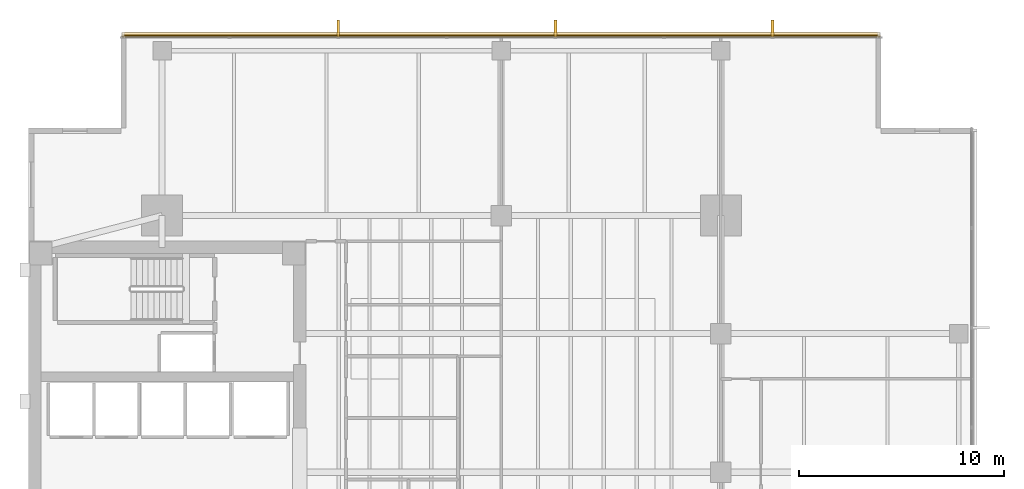
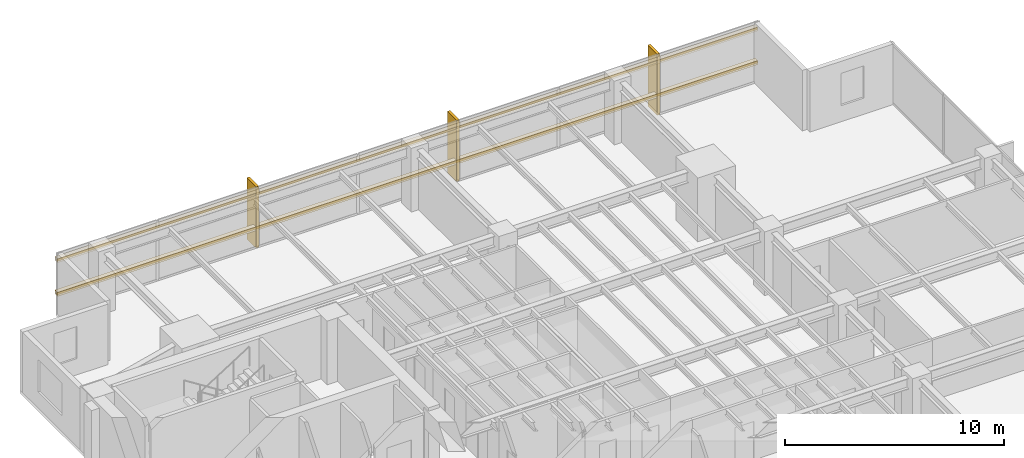
# One storey, part 15 of 15: 5 coverings, 2 shading devices.
"""IFC4 building model written with IfcOpenShell, lengths in metres."""

import ifcopenshell
import ifcopenshell.guid

model = None  # the IFC model being written
_history = None  # IfcOwnerHistory: only IFC2X3 demands one
_inside = {}  # id of a spatial element -> (the spatial element, [elements in it])
_under = {}  # id of a project, library or spatial element -> (it, [spatial elements below it])
_declared = {}  # id of a project -> (the project, [libraries it declares])
_typed = {}  # id of a type object -> (the type object, [elements of that type])
_made_of = {}  # id of a material, layer set ... -> (it, [elements and type objects made of it])


def new_model(schema):
    """Start an empty IFC model of exactly this schema.

    Asked for "IFC4X3", IfcOpenShell would pick the latest addendum, in which some entities
    have other attributes; the version numbers below select the first issue.
    IFC2X3 requires an IfcOwnerHistory on every rooted entity: one is made here for all.
    """
    global model, _history
    if schema == "IFC4X3":
        model = ifcopenshell.file(schema_version=(4, 3, 0, 0))
    else:
        model = ifcopenshell.file(schema=schema)
    _inside.clear()
    _under.clear()
    _declared.clear()
    _typed.clear()
    _made_of.clear()
    _history = None
    if model.schema == "IFC2X3":
        org = make("IfcOrganization", Name="unknown")
        user = make(
            "IfcPersonAndOrganization",
            ThePerson=make("IfcPerson", FamilyName="unknown"),
            TheOrganization=org,
        )
        app = make(
            "IfcApplication",
            ApplicationDeveloper=org,
            Version="unknown",
            ApplicationFullName="unknown",
            ApplicationIdentifier="unknown",
        )
        _history = make(
            "IfcOwnerHistory",
            OwningUser=user,
            OwningApplication=app,
            ChangeAction="ADDED",
            CreationDate=0,
        )
    return model


def make(cls, **values):
    """One entity of the class cls with the attributes given. An attribute that is None is left unset."""
    return model.create_entity(
        cls, **{name: value for name, value in values.items() if value is not None}
    )


def rooted(cls, **values):
    """An entity with a GlobalId (a new one), such as an element, a storey or a relation."""
    return make(cls, GlobalId=ifcopenshell.guid.new(), OwnerHistory=_history, **values)


def si_unit(unit_type, name, prefix=None):
    """IfcSIUnit, for example si_unit("LENGTHUNIT", "METRE", prefix="MILLI")."""
    return make("IfcSIUnit", UnitType=unit_type, Prefix=prefix, Name=name)


def assignment(units):
    """IfcUnitAssignment: the units of a project."""
    return None if units is None else make("IfcUnitAssignment", Units=units)


def point(xyz):
    """IfcCartesianPoint."""
    return None if xyz is None else make("IfcCartesianPoint", Coordinates=xyz)


def direction(xyz):
    """IfcDirection."""
    return None if xyz is None else make("IfcDirection", DirectionRatios=xyz)


def frame(location, z_axis=None, x_axis=None):
    """IfcAxis2Placement3D, a coordinate frame: its origin and axes. An axis left out is left unset."""
    return make(
        "IfcAxis2Placement3D",
        Location=point(location),
        Axis=direction(z_axis),
        RefDirection=direction(x_axis),
    )


def frame_2d(location, x_axis=None):
    """IfcAxis2Placement2D, a coordinate frame in the plane: its origin and x axis."""
    return make(
        "IfcAxis2Placement2D", Location=point(location), RefDirection=direction(x_axis)
    )


def origin():
    """The frame at (0, 0, 0) with its axes left unset."""
    return frame((0.0, 0.0, 0.0))


def origin_2d():
    """The frame at (0, 0) in the plane with its x axis left unset."""
    return frame_2d((0.0, 0.0))


def place(relative_to, where):
    """IfcLocalPlacement: puts the frame where relative to a parent placement (None: the world)."""
    return make(
        "IfcLocalPlacement", PlacementRelTo=relative_to, RelativePlacement=where
    )


def context(
    kind, dimensions, precision=None, world=None, true_north=None, identifier=None
):
    """IfcGeometricRepresentationContext, for example the 3D "Model" context."""
    return make(
        "IfcGeometricRepresentationContext",
        ContextIdentifier=identifier,
        ContextType=kind,
        CoordinateSpaceDimension=dimensions,
        Precision=precision,
        WorldCoordinateSystem=world,
        TrueNorth=true_north,
    )


def subcontext(parent, identifier, kind, view, scale=None):
    """IfcGeometricRepresentationSubContext, for example "Body" below "Model"."""
    return make(
        "IfcGeometricRepresentationSubContext",
        ContextIdentifier=identifier,
        ContextType=kind,
        ParentContext=parent,
        TargetScale=scale,
        TargetView=view,
    )


def project(units=None, contexts=None):
    """IfcProject with its units and contexts."""
    return rooted(
        "IfcProject",
        Name="project",
        RepresentationContexts=contexts,
        UnitsInContext=assignment(units),
    )


def spatial(cls, under=None, at=None, **own):
    """A site, building, storey or space (cls), placed at a placement, below another one or the project."""
    s = rooted(cls, ObjectPlacement=at, **own)
    if under is not None:
        _under.setdefault(under.id(), (under, []))[1].append(s)
    return s


def polyline(points):
    """IfcPolyline through the points."""
    return make("IfcPolyline", Points=[point(p) for p in points])


def profile(cls, at=None, kind="AREA", **sizes):
    """A parametric profile (cls). Its sizes go by their IFC names, for example OverallWidth=200.0."""
    return make(cls, ProfileType=kind, Position=at, **sizes)


def rectangle(**sizes):
    """IfcRectangleProfileDef."""
    return profile("IfcRectangleProfileDef", **sizes)


def outline(outer, holes=None, kind="AREA"):
    """IfcArbitraryClosedProfileDef: a profile drawn as a closed curve; with holes, ...WithVoids."""
    if holes is None:
        return make("IfcArbitraryClosedProfileDef", ProfileType=kind, OuterCurve=outer)
    return make(
        "IfcArbitraryProfileDefWithVoids",
        ProfileType=kind,
        OuterCurve=outer,
        InnerCurves=holes,
    )


def extrude(swept, where, along, depth):
    """IfcExtrudedAreaSolid: the profile swept, set in the frame where, extruded along a direction by depth."""
    return make(
        "IfcExtrudedAreaSolid",
        SweptArea=swept,
        Position=where,
        ExtrudedDirection=direction(along),
        Depth=depth,
    )


def shape(context_of_items, identifier, shape_type, items):
    """IfcShapeRepresentation: the items that make up one representation, for example the "Body"."""
    return make(
        "IfcShapeRepresentation",
        ContextOfItems=context_of_items,
        RepresentationIdentifier=identifier,
        RepresentationType=shape_type,
        Items=items,
    )


def material(Name=None, Category=None):
    """IfcMaterial."""
    return make("IfcMaterial", Name=Name, Category=Category)


def layer(
    of_material, thickness, ventilated=None, Name=None, Category=None, Priority=None
):
    """IfcMaterialLayer: one layer of a wall or slab, of a material (None: an air gap)."""
    return make(
        "IfcMaterialLayer",
        Material=of_material,
        LayerThickness=thickness,
        IsVentilated=ventilated,
        Name=Name,
        Category=Category,
        Priority=Priority,
    )


def layer_set(layers, Name=None):
    """IfcMaterialLayerSet."""
    return make("IfcMaterialLayerSet", MaterialLayers=layers, LayerSetName=Name)


def material_profile(
    of_material, cross_section, Name=None, Category=None, Priority=None
):
    """IfcMaterialProfile: a cross section and its material."""
    return make(
        "IfcMaterialProfile",
        Name=Name,
        Material=of_material,
        Profile=cross_section,
        Priority=Priority,
        Category=Category,
    )


def profile_set(profiles, Name=None, composite=None):
    """IfcMaterialProfileSet."""
    return make(
        "IfcMaterialProfileSet",
        Name=Name,
        MaterialProfiles=profiles,
        CompositeProfile=composite,
    )


def made_of(thing, what):
    """Note that an element or type object is made of a material, layer set ...; save() writes the relation."""
    if what is not None:
        _made_of.setdefault(what.id(), (what, []))[1].append(thing)
    return thing


def type_object(cls, material=None, **own):
    """A type object (cls), such as IfcWallType, which elements share."""
    return made_of(rooted(cls, **own), material)


def element(
    cls,
    number,
    at=None,
    inside=None,
    cuts=None,
    type_object=None,
    material=None,
    context=None,
    identifier="Body",
    shape_type=None,
    held_by="IfcProductDefinitionShape",
    body=None,
    shapes=None,
    **own,
):
    """One element of the class cls, such as IfcWall. Its Tag is "e" and its number.

    at: its placement. inside: the storey or other place that contains it. cuts: it is an
    opening in that element (IfcRelVoidsElement). A single representation is given by context,
    identifier, shape_type and body (its items); several are given by shapes. held_by: the class
    of the entity that holds the representations. save() writes the other relations.
    """
    e = rooted(cls, Tag="e%d" % number, ObjectPlacement=at, **own)
    if body is not None:
        shapes = [shape(context, identifier, shape_type, body)]
    if shapes is not None:
        e.Representation = make(held_by, Representations=shapes)
    if inside is not None:
        _inside.setdefault(inside.id(), (inside, []))[1].append(e)
    if cuts is not None:
        rooted(
            "IfcRelVoidsElement", RelatingBuildingElement=cuts, RelatedOpeningElement=e
        )
    if type_object is not None:
        _typed.setdefault(type_object.id(), (type_object, []))[1].append(e)
    return made_of(e, material)


def aggregate(whole, parts):
    """IfcRelAggregates: a whole, such as a stair, and the parts it consists of."""
    return rooted("IfcRelAggregates", RelatingObject=whole, RelatedObjects=parts)


def save(model, path):
    """Write the relations noted so far, then the file.

    IfcRelAggregates (storeys below a building ...), IfcRelContainedInSpatialStructure (elements
    in a storey), IfcRelDefinesByType, IfcRelAssociatesMaterial and IfcRelDeclares: one each for
    every whole, place, type object, material and project.
    """
    for whole, parts in _under.values():
        aggregate(whole, parts)
    for where, things in _inside.values():
        rooted(
            "IfcRelContainedInSpatialStructure",
            RelatedElements=things,
            RelatingStructure=where,
        )
    for kind, things in _typed.values():
        rooted("IfcRelDefinesByType", RelatedObjects=things, RelatingType=kind)
    for what, things in _made_of.values():
        rooted("IfcRelAssociatesMaterial", RelatedObjects=things, RelatingMaterial=what)
    for by, libraries in _declared.values():
        rooted("IfcRelDeclares", RelatingContext=by, RelatedDefinitions=libraries)
    model.write(path)


model = new_model("IFC4")

# Units and contexts
model_context = context("Model", 3, precision=1e-05, world=origin(), true_north=direction((0.0, 1.0)))
body_context = subcontext(model_context, "Body", "Model", "MODEL_VIEW")
ifc_project = project(units=[si_unit("LENGTHUNIT", "METRE"), si_unit("AREAUNIT", "SQUARE_METRE"), si_unit("VOLUMEUNIT", "CUBIC_METRE"), si_unit("PLANEANGLEUNIT", "RADIAN"), si_unit("MASSUNIT", "GRAM", prefix="KILO")], contexts=[model_context])

# Site, building, storey
site_placement = place(None, origin())
site = spatial("IfcSite", under=ifc_project, at=site_placement, CompositionType="ELEMENT")
building_placement = place(site_placement, origin())
building = spatial("IfcBuilding", under=site, at=building_placement, Name="Kinhvarn Gate Tower", CompositionType="ELEMENT")
storey_placement = place(building_placement, frame((0.0, 0.0, 105.800048828125)))
storey = spatial("IfcBuildingStorey", under=building, at=storey_placement, Name="L27", CompositionType="ELEMENT", Elevation=105.800048828125)

# Coverings
ifc_material = material(Name="Fired architectural terracotta", Category="masonry")
ifc_layer_1 = layer(ifc_material, 0.239990234375)
ifc_layer_set_1 = layer_set([ifc_layer_1], Name="Fired architectural terracotta")
covering_type_1 = type_object("IfcCoveringType", Name="COV-BAG-220", PredefinedType="CLADDING", material=ifc_layer_set_1)
for number, where, name in (
    (1, (0.0, 0.0, 0.93994140625), "Terracotta Horizontal Sunscreen Band TBG-220 (L27)"),
    (2, (0.0, 0.0, 2.81005859375), "Terracotta Horizontal Sunscreen Band TBG-220 (L27)"),
):
    element("IfcCovering", number, at=place(storey_placement, frame(where)), inside=storey, type_object=covering_type_1, Name=name, PredefinedType="CLADDING", context=body_context, shape_type="SweptSolid", body=[
        extrude(outline(polyline([(45.9599609375, 46.429931640625), (9.0400390625, 46.429931640625), (9.0400390625, 46.669921875), (45.9599609375, 46.669921875), (45.9599609375, 46.429931640625)])), origin(), (0.0, 0.0, 1.0), 0.219970703125),
    ])
ifc_layer_2 = layer(ifc_material, 0.139892578125)
ifc_layer_set_2 = layer_set([ifc_layer_2], Name="Fired architectural terracotta")
covering_type_2 = type_object("IfcCoveringType", Name="COV-FIN-850", PredefinedType="CLADDING", material=ifc_layer_set_2)
covering_1_placement = place(storey_placement, frame((0.0, 0.0, -0.02001953125)))
element("IfcCovering", 3, at=covering_1_placement, inside=storey, type_object=covering_type_2, Name="Vertical Terracotta Expressive Fin TFN-850 (L27)", PredefinedType="CLADDING", context=body_context, shape_type="SweptSolid", body=[
    extrude(outline(polyline([(40.7841796875, 46.419921875), (40.644287109375, 46.419921875), (40.644287109375, 47.27001953125), (40.7841796875, 47.27001953125), (40.7841796875, 46.419921875)])), origin(), (0.0, 0.0, 1.0), 3.409912109375),
])
covering_2_placement = place(storey_placement, frame((0.0, 0.0, -0.02001953125)))
element("IfcCovering", 4, at=covering_2_placement, inside=storey, type_object=covering_type_2, Name="Vertical Terracotta Expressive Fin TFN-850 (L27)", PredefinedType="CLADDING", context=body_context, shape_type="SweptSolid", body=[
    extrude(outline(polyline([(30.212890625, 46.419921875), (30.072998046875, 46.419921875), (30.072998046875, 47.27001953125), (30.212890625, 47.27001953125), (30.212890625, 46.419921875)])), origin(), (0.0, 0.0, 1.0), 3.409912109375),
])
covering_3_placement = place(storey_placement, frame((0.0, 0.0, -0.02001953125)))
element("IfcCovering", 5, at=covering_3_placement, inside=storey, type_object=covering_type_2, Name="Vertical Terracotta Expressive Fin TFN-850 (L27)", PredefinedType="CLADDING", context=body_context, shape_type="SweptSolid", body=[
    extrude(outline(polyline([(19.641357421875, 46.419921875), (19.50146484375, 46.419921875), (19.50146484375, 47.27001953125), (19.641357421875, 47.27001953125), (19.641357421875, 46.419921875)])), origin(), (0.0, 0.0, 1.0), 3.409912109375),
])

# Shading devices
ifc_material_profile = material_profile(ifc_material, rectangle(XDim=0.050048828125, YDim=0.1201171875, at=origin_2d()), Name="TC 50x120")
ifc_profile_set = profile_set([ifc_material_profile], Name="Fired architectural terracotta")
shading_device_type = type_object("IfcShadingDeviceType", Name="SHD-BAG-140", PredefinedType="USERDEFINED", material=ifc_profile_set)
for number, where, z_axis, x_axis, name in (
    (6, (45.9599609375, 46.5, 1.050048828125), (-1.0, 0.0, 0.0), (0.0, -1.0, 0.0), "Upper Tower Terracotta Baguette Screen Rod 50x120 mm (L27)"),
    (7, (45.9599609375, 46.5, 2.919921875), (-1.0, 0.0, 0.0), (0.0, -1.0, 0.0), "Upper Tower Terracotta Baguette Screen Rod 50x120 mm (L27)"),
):
    element("IfcShadingDevice", number, at=place(storey_placement, frame(where, z_axis=z_axis, x_axis=x_axis)), inside=storey, type_object=shading_device_type, Name=name, ObjectType="BAGUETTE", PredefinedType="USERDEFINED", context=body_context, shape_type="SweptSolid", body=[
        extrude(rectangle(XDim=0.050048828125, YDim=0.1201171875, at=origin_2d()), origin(), (0.0, 0.0, 1.0), 36.919921875),
    ])

save(model, "model.ifc")
